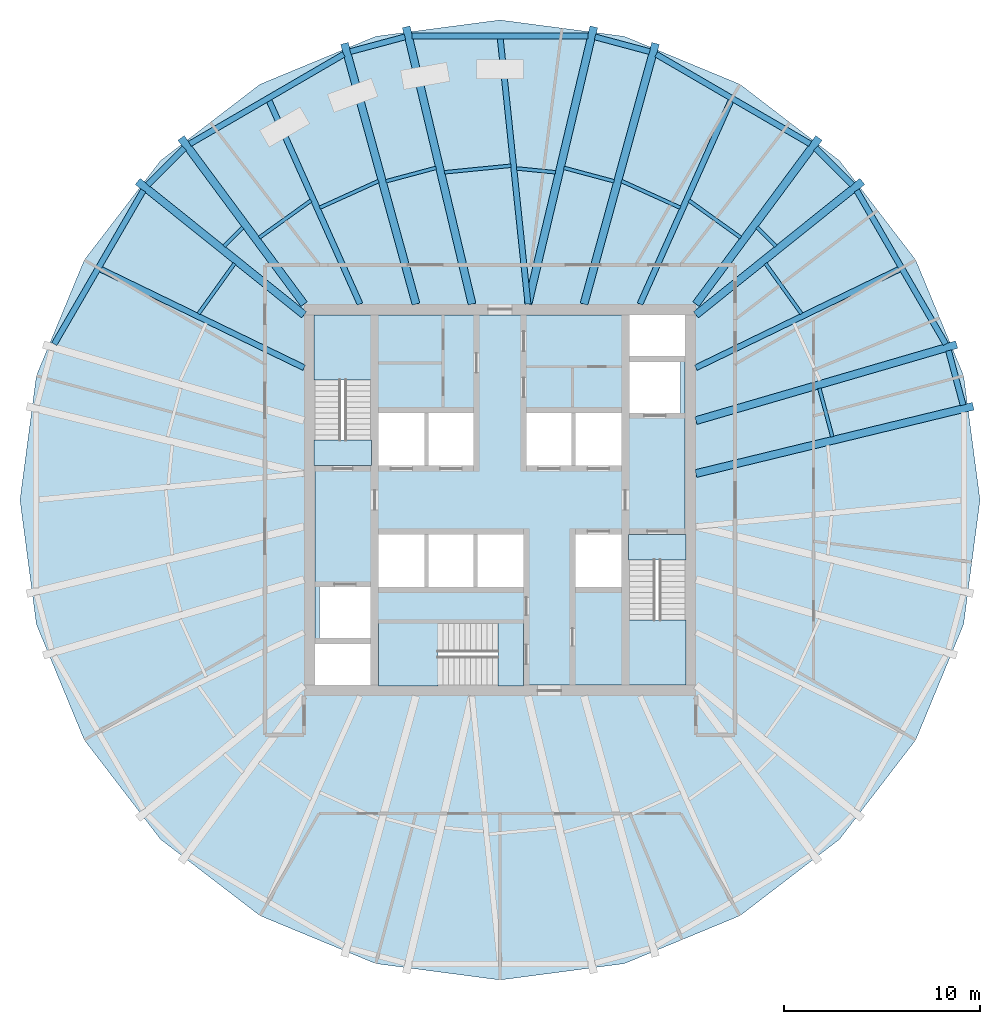
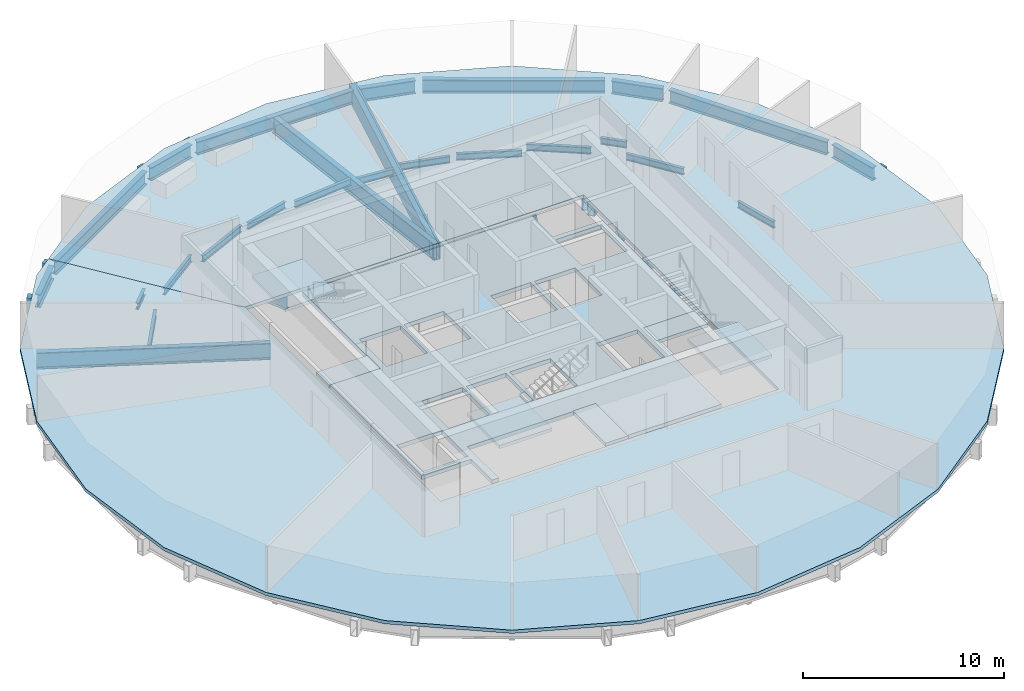
# One storey, part 2 of 7: 38 beams, 9 slabs, 3 elements without a shape of their own.
"""IFC4 building model written with IfcOpenShell, lengths in metres."""

import ifcopenshell
import ifcopenshell.guid

model = None  # the IFC model being written
_history = None  # IfcOwnerHistory: only IFC2X3 demands one
_inside = {}  # id of a spatial element -> (the spatial element, [elements in it])
_under = {}  # id of a project, library or spatial element -> (it, [spatial elements below it])
_declared = {}  # id of a project -> (the project, [libraries it declares])
_typed = {}  # id of a type object -> (the type object, [elements of that type])
_made_of = {}  # id of a material, layer set ... -> (it, [elements and type objects made of it])


def new_model(schema):
    """Start an empty IFC model of exactly this schema.

    Asked for "IFC4X3", IfcOpenShell would pick the latest addendum, in which some entities
    have other attributes; the version numbers below select the first issue.
    IFC2X3 requires an IfcOwnerHistory on every rooted entity: one is made here for all.
    """
    global model, _history
    if schema == "IFC4X3":
        model = ifcopenshell.file(schema_version=(4, 3, 0, 0))
    else:
        model = ifcopenshell.file(schema=schema)
    _inside.clear()
    _under.clear()
    _declared.clear()
    _typed.clear()
    _made_of.clear()
    _history = None
    if model.schema == "IFC2X3":
        org = make("IfcOrganization", Name="unknown")
        user = make(
            "IfcPersonAndOrganization",
            ThePerson=make("IfcPerson", FamilyName="unknown"),
            TheOrganization=org,
        )
        app = make(
            "IfcApplication",
            ApplicationDeveloper=org,
            Version="unknown",
            ApplicationFullName="unknown",
            ApplicationIdentifier="unknown",
        )
        _history = make(
            "IfcOwnerHistory",
            OwningUser=user,
            OwningApplication=app,
            ChangeAction="ADDED",
            CreationDate=0,
        )
    return model


def make(cls, **values):
    """One entity of the class cls with the attributes given. An attribute that is None is left unset."""
    return model.create_entity(
        cls, **{name: value for name, value in values.items() if value is not None}
    )


def rooted(cls, **values):
    """An entity with a GlobalId (a new one), such as an element, a storey or a relation."""
    return make(cls, GlobalId=ifcopenshell.guid.new(), OwnerHistory=_history, **values)


def si_unit(unit_type, name, prefix=None):
    """IfcSIUnit, for example si_unit("LENGTHUNIT", "METRE", prefix="MILLI")."""
    return make("IfcSIUnit", UnitType=unit_type, Prefix=prefix, Name=name)


def assignment(units):
    """IfcUnitAssignment: the units of a project."""
    return None if units is None else make("IfcUnitAssignment", Units=units)


def point(xyz):
    """IfcCartesianPoint."""
    return None if xyz is None else make("IfcCartesianPoint", Coordinates=xyz)


def direction(xyz):
    """IfcDirection."""
    return None if xyz is None else make("IfcDirection", DirectionRatios=xyz)


def frame(location, z_axis=None, x_axis=None):
    """IfcAxis2Placement3D, a coordinate frame: its origin and axes. An axis left out is left unset."""
    return make(
        "IfcAxis2Placement3D",
        Location=point(location),
        Axis=direction(z_axis),
        RefDirection=direction(x_axis),
    )


def frame_2d(location, x_axis=None):
    """IfcAxis2Placement2D, a coordinate frame in the plane: its origin and x axis."""
    return make(
        "IfcAxis2Placement2D", Location=point(location), RefDirection=direction(x_axis)
    )


def origin():
    """The frame at (0, 0, 0) with its axes left unset."""
    return frame((0.0, 0.0, 0.0))


def origin_2d():
    """The frame at (0, 0) in the plane with its x axis left unset."""
    return frame_2d((0.0, 0.0))


def place(relative_to, where):
    """IfcLocalPlacement: puts the frame where relative to a parent placement (None: the world)."""
    return make(
        "IfcLocalPlacement", PlacementRelTo=relative_to, RelativePlacement=where
    )


def context(
    kind, dimensions, precision=None, world=None, true_north=None, identifier=None
):
    """IfcGeometricRepresentationContext, for example the 3D "Model" context."""
    return make(
        "IfcGeometricRepresentationContext",
        ContextIdentifier=identifier,
        ContextType=kind,
        CoordinateSpaceDimension=dimensions,
        Precision=precision,
        WorldCoordinateSystem=world,
        TrueNorth=true_north,
    )


def subcontext(parent, identifier, kind, view, scale=None):
    """IfcGeometricRepresentationSubContext, for example "Body" below "Model"."""
    return make(
        "IfcGeometricRepresentationSubContext",
        ContextIdentifier=identifier,
        ContextType=kind,
        ParentContext=parent,
        TargetScale=scale,
        TargetView=view,
    )


def project(units=None, contexts=None):
    """IfcProject with its units and contexts."""
    return rooted(
        "IfcProject",
        Name="project",
        RepresentationContexts=contexts,
        UnitsInContext=assignment(units),
    )


def spatial(cls, under=None, at=None, **own):
    """A site, building, storey or space (cls), placed at a placement, below another one or the project."""
    s = rooted(cls, ObjectPlacement=at, **own)
    if under is not None:
        _under.setdefault(under.id(), (under, []))[1].append(s)
    return s


def polyline(points):
    """IfcPolyline through the points."""
    return make("IfcPolyline", Points=[point(p) for p in points])


def profile(cls, at=None, kind="AREA", **sizes):
    """A parametric profile (cls). Its sizes go by their IFC names, for example OverallWidth=200.0."""
    return make(cls, ProfileType=kind, Position=at, **sizes)


def hollow_rectangle(**sizes):
    """IfcRectangleHollowProfileDef."""
    return profile("IfcRectangleHollowProfileDef", **sizes)


def i_section(**sizes):
    """IfcIShapeProfileDef."""
    return profile("IfcIShapeProfileDef", **sizes)


def outline(outer, holes=None, kind="AREA"):
    """IfcArbitraryClosedProfileDef: a profile drawn as a closed curve; with holes, ...WithVoids."""
    if holes is None:
        return make("IfcArbitraryClosedProfileDef", ProfileType=kind, OuterCurve=outer)
    return make(
        "IfcArbitraryProfileDefWithVoids",
        ProfileType=kind,
        OuterCurve=outer,
        InnerCurves=holes,
    )


def extrude(swept, where, along, depth):
    """IfcExtrudedAreaSolid: the profile swept, set in the frame where, extruded along a direction by depth."""
    return make(
        "IfcExtrudedAreaSolid",
        SweptArea=swept,
        Position=where,
        ExtrudedDirection=direction(along),
        Depth=depth,
    )


def shape(context_of_items, identifier, shape_type, items):
    """IfcShapeRepresentation: the items that make up one representation, for example the "Body"."""
    return make(
        "IfcShapeRepresentation",
        ContextOfItems=context_of_items,
        RepresentationIdentifier=identifier,
        RepresentationType=shape_type,
        Items=items,
    )


def material(Name=None, Category=None):
    """IfcMaterial."""
    return make("IfcMaterial", Name=Name, Category=Category)


def layer(
    of_material, thickness, ventilated=None, Name=None, Category=None, Priority=None
):
    """IfcMaterialLayer: one layer of a wall or slab, of a material (None: an air gap)."""
    return make(
        "IfcMaterialLayer",
        Material=of_material,
        LayerThickness=thickness,
        IsVentilated=ventilated,
        Name=Name,
        Category=Category,
        Priority=Priority,
    )


def layer_set(layers, Name=None):
    """IfcMaterialLayerSet."""
    return make("IfcMaterialLayerSet", MaterialLayers=layers, LayerSetName=Name)


def material_profile(
    of_material, cross_section, Name=None, Category=None, Priority=None
):
    """IfcMaterialProfile: a cross section and its material."""
    return make(
        "IfcMaterialProfile",
        Name=Name,
        Material=of_material,
        Profile=cross_section,
        Priority=Priority,
        Category=Category,
    )


def profile_set(profiles, Name=None, composite=None):
    """IfcMaterialProfileSet."""
    return make(
        "IfcMaterialProfileSet",
        Name=Name,
        MaterialProfiles=profiles,
        CompositeProfile=composite,
    )


def made_of(thing, what):
    """Note that an element or type object is made of a material, layer set ...; save() writes the relation."""
    if what is not None:
        _made_of.setdefault(what.id(), (what, []))[1].append(thing)
    return thing


def type_object(cls, material=None, **own):
    """A type object (cls), such as IfcWallType, which elements share."""
    return made_of(rooted(cls, **own), material)


def element(
    cls,
    number,
    at=None,
    inside=None,
    cuts=None,
    type_object=None,
    material=None,
    context=None,
    identifier="Body",
    shape_type=None,
    held_by="IfcProductDefinitionShape",
    body=None,
    shapes=None,
    **own,
):
    """One element of the class cls, such as IfcWall. Its Tag is "e" and its number.

    at: its placement. inside: the storey or other place that contains it. cuts: it is an
    opening in that element (IfcRelVoidsElement). A single representation is given by context,
    identifier, shape_type and body (its items); several are given by shapes. held_by: the class
    of the entity that holds the representations. save() writes the other relations.
    """
    e = rooted(cls, Tag="e%d" % number, ObjectPlacement=at, **own)
    if body is not None:
        shapes = [shape(context, identifier, shape_type, body)]
    if shapes is not None:
        e.Representation = make(held_by, Representations=shapes)
    if inside is not None:
        _inside.setdefault(inside.id(), (inside, []))[1].append(e)
    if cuts is not None:
        rooted(
            "IfcRelVoidsElement", RelatingBuildingElement=cuts, RelatedOpeningElement=e
        )
    if type_object is not None:
        _typed.setdefault(type_object.id(), (type_object, []))[1].append(e)
    return made_of(e, material)


def aggregate(whole, parts):
    """IfcRelAggregates: a whole, such as a stair, and the parts it consists of."""
    return rooted("IfcRelAggregates", RelatingObject=whole, RelatedObjects=parts)


def save(model, path):
    """Write the relations noted so far, then the file.

    IfcRelAggregates (storeys below a building ...), IfcRelContainedInSpatialStructure (elements
    in a storey), IfcRelDefinesByType, IfcRelAssociatesMaterial and IfcRelDeclares: one each for
    every whole, place, type object, material and project.
    """
    for whole, parts in _under.values():
        aggregate(whole, parts)
    for where, things in _inside.values():
        rooted(
            "IfcRelContainedInSpatialStructure",
            RelatedElements=things,
            RelatingStructure=where,
        )
    for kind, things in _typed.values():
        rooted("IfcRelDefinesByType", RelatedObjects=things, RelatingType=kind)
    for what, things in _made_of.values():
        rooted("IfcRelAssociatesMaterial", RelatedObjects=things, RelatingMaterial=what)
    for by, libraries in _declared.values():
        rooted("IfcRelDeclares", RelatingContext=by, RelatedDefinitions=libraries)
    model.write(path)


model = new_model("IFC4")

# Units and contexts
model_context = context("Model", 3, precision=1e-05, world=origin(), true_north=direction((0.0, 1.0)))
body_context = subcontext(model_context, "Body", "Model", "MODEL_VIEW")
ifc_project = project(units=[si_unit("LENGTHUNIT", "METRE"), si_unit("AREAUNIT", "SQUARE_METRE"), si_unit("VOLUMEUNIT", "CUBIC_METRE"), si_unit("PLANEANGLEUNIT", "RADIAN"), si_unit("MASSUNIT", "GRAM", prefix="KILO")], contexts=[model_context])

# Site, building, storey
site_placement = place(None, origin())
site = spatial("IfcSite", under=ifc_project, at=site_placement, CompositionType="ELEMENT")
building_placement = place(site_placement, origin())
building = spatial("IfcBuilding", under=site, at=building_placement, Name="Golbaran Civic Tower", CompositionType="ELEMENT")
storey_placement = place(building_placement, frame((0.0, 0.0, 106.0)))
storey = spatial("IfcBuildingStorey", under=building, at=storey_placement, Name="L25", CompositionType="ELEMENT", Elevation=106.0)

# Beams
ifc_material_1 = material(Name="Steel S355", Category="steel")
ifc_material_profile_1 = material_profile(ifc_material_1, i_section(OverallWidth=0.300048828125, OverallDepth=0.800048828125, WebThickness=0.017578125, FlangeThickness=0.032958984375, FilletRadius=0.030029296875, at=origin_2d()), Name="HEB 800")
ifc_profile_set_1 = profile_set([ifc_material_profile_1], Name="Steel S355")
beam_type_1 = type_object("IfcBeamType", Name="EDGE BEAM HEB 800", PredefinedType="BEAM", material=ifc_profile_set_1)
beam_1_placement = place(storey_placement, frame((23.634765625, 4.844970703125, -0.60009765625), z_axis=(-0.258798311306, 0.965931381655, 0.0), x_axis=(-0.965931381655, -0.258798311306, 0.0)))
element("IfcBeam", 1, at=beam_1_placement, inside=storey, type_object=beam_type_1, Name="Edge beam 11.26 L25", PredefinedType="BEAM", context=body_context, shape_type="SweptSolid", body=[
    extrude(i_section(OverallWidth=0.300048828125, OverallDepth=0.800048828125, WebThickness=0.017578125, FlangeThickness=0.032958984375, FilletRadius=0.030029296875, at=origin_2d()), origin(), (0.0, 0.0, 1.0), 2.876220703125),
])
beam_2_placement = place(storey_placement, frame((22.750732421875, 7.95751953125, -0.60009765625), z_axis=(-0.501692291234, 0.865046151899, 0.0), x_axis=(-0.865046151899, -0.501692291234, 0.0)))
element("IfcBeam", 2, at=beam_2_placement, inside=storey, type_object=beam_type_1, Name="Edge beam 18.74 L25", PredefinedType="BEAM", context=body_context, shape_type="SweptSolid", body=[
    extrude(i_section(OverallWidth=0.300048828125, OverallDepth=0.800048828125, WebThickness=0.017578125, FlangeThickness=0.032958984375, FilletRadius=0.030029296875, at=origin_2d()), origin(), (0.0, 0.0, 1.0), 9.06396484375),
])
beam_3_placement = place(storey_placement, frame((17.98388671875, 16.083984375, -0.60009765625), z_axis=(-0.706506383865, 0.707706669149, 0.0), x_axis=(-0.707706669149, -0.706506383865, 0.0)))
element("IfcBeam", 3, at=beam_3_placement, inside=storey, type_object=beam_type_1, Name="Edge beam 41.26 L25", PredefinedType="BEAM", context=body_context, shape_type="SweptSolid", body=[
    extrude(i_section(OverallWidth=0.300048828125, OverallDepth=0.800048828125, WebThickness=0.017578125, FlangeThickness=0.032958984375, FilletRadius=0.030029296875, at=origin_2d()), origin(), (0.0, 0.0, 1.0), 2.644287109375),
])
beam_4_placement = place(storey_placement, frame((15.830810546875, 18.17529296875, -0.60009765625), z_axis=(-0.864428999751, 0.502754914834, 0.0), x_axis=(-0.502754914834, -0.864428999751, 0.0)))
element("IfcBeam", 4, at=beam_4_placement, inside=storey, type_object=beam_type_1, Name="Edge beam 48.74 L25", PredefinedType="BEAM", context=body_context, shape_type="SweptSolid", body=[
    extrude(i_section(OverallWidth=0.300048828125, OverallDepth=0.800048828125, WebThickness=0.017578125, FlangeThickness=0.032958984375, FilletRadius=0.030029296875, at=origin_2d()), origin(), (0.0, 0.0, 1.0), 9.088623046875),
])
beam_5_placement = place(storey_placement, frame((7.639404296875, 22.884765625, -0.60009765625), z_axis=(-0.96577881676, 0.259367070187, 0.0), x_axis=(-0.259367070187, -0.96577881676, 0.0)))
element("IfcBeam", 5, at=beam_5_placement, inside=storey, type_object=beam_type_1, Name="Edge beam 71.26 L25", PredefinedType="BEAM", context=body_context, shape_type="SweptSolid", body=[
    extrude(i_section(OverallWidth=0.300048828125, OverallDepth=0.800048828125, WebThickness=0.017578125, FlangeThickness=0.032958984375, FilletRadius=0.030029296875, at=origin_2d()), origin(), (0.0, 0.0, 1.0), 2.887939453125),
])
beam_6_placement = place(storey_placement, frame((4.491455078125, 23.680419921875, -0.60009765625), z_axis=(-1.0, 0.0, 0.0), x_axis=(0.0, -1.0, 0.0)))
element("IfcBeam", 6, at=beam_6_placement, inside=storey, type_object=beam_type_1, Name="Edge beam 78.74 L25", PredefinedType="BEAM", context=body_context, shape_type="SweptSolid", body=[
    extrude(i_section(OverallWidth=0.300048828125, OverallDepth=0.800048828125, WebThickness=0.017578125, FlangeThickness=0.032958984375, FilletRadius=0.030029296875, at=origin_2d()), origin(), (0.0, 0.0, 1.0), 8.98291015625),
])
beam_7_placement = place(storey_placement, frame((-4.850341796875, 23.6337890625, -0.60009765625), z_axis=(-0.96577881676, -0.259367070187, 0.0), x_axis=(0.259367070187, -0.96577881676, 0.0)))
element("IfcBeam", 7, at=beam_7_placement, inside=storey, type_object=beam_type_1, Name="Edge beam 101.26 L25", PredefinedType="BEAM", context=body_context, shape_type="SweptSolid", body=[
    extrude(i_section(OverallWidth=0.300048828125, OverallDepth=0.800048828125, WebThickness=0.017578125, FlangeThickness=0.032958984375, FilletRadius=0.030029296875, at=origin_2d()), origin(), (0.0, 0.0, 1.0), 2.887939453125),
])
beam_8_placement = place(storey_placement, frame((-7.974365234375, 22.74462890625, -0.60009765625), z_axis=(-0.864428999751, -0.502754914834, 0.0), x_axis=(0.502754914834, -0.864428999751, 0.0)))
element("IfcBeam", 8, at=beam_8_placement, inside=storey, type_object=beam_type_1, Name="Edge beam 108.74 L25", PredefinedType="BEAM", context=body_context, shape_type="SweptSolid", body=[
    extrude(i_section(OverallWidth=0.300048828125, OverallDepth=0.800048828125, WebThickness=0.017578125, FlangeThickness=0.032958984375, FilletRadius=0.030029296875, at=origin_2d()), origin(), (0.0, 0.0, 1.0), 9.088623046875),
])
beam_9_placement = place(storey_placement, frame((-16.11572265625, 17.955322265625, -0.60009765625), z_axis=(-0.706506383865, -0.707706669149, 0.0), x_axis=(0.707706669149, -0.706506383865, 0.0)))
element("IfcBeam", 9, at=beam_9_placement, inside=storey, type_object=beam_type_1, Name="Edge beam 131.26 L25", PredefinedType="BEAM", context=body_context, shape_type="SweptSolid", body=[
    extrude(i_section(OverallWidth=0.300048828125, OverallDepth=0.800048828125, WebThickness=0.017578125, FlangeThickness=0.032958984375, FilletRadius=0.030029296875, at=origin_2d()), origin(), (0.0, 0.0, 1.0), 2.644287109375),
])
beam_10_placement = place(storey_placement, frame((-18.203369140625, 15.79833984375, -0.60009765625), z_axis=(-0.501692291234, -0.865046151899, 0.0), x_axis=(0.865046151899, -0.501692291234, 0.0)))
element("IfcBeam", 10, at=beam_10_placement, inside=storey, type_object=beam_type_1, Name="Edge beam 138.74 L25", PredefinedType="BEAM", context=body_context, shape_type="SweptSolid", body=[
    extrude(i_section(OverallWidth=0.300048828125, OverallDepth=0.800048828125, WebThickness=0.017578125, FlangeThickness=0.032958984375, FilletRadius=0.030029296875, at=origin_2d()), origin(), (0.0, 0.0, 1.0), 9.06396484375),
])
ifc_material_profile_2 = material_profile(ifc_material_1, i_section(OverallWidth=0.179931640625, OverallDepth=0.39990234375, WebThickness=0.008544921875, FlangeThickness=0.013427734375, FilletRadius=0.02099609375, at=origin_2d()), Name="IPE 400")
ifc_profile_set_2 = profile_set([ifc_material_profile_2], Name="Steel S355")
beam_type_2 = type_object("IfcBeamType", Name="FLOOR INFILL BEAM IPE 400", PredefinedType="BEAM", material=ifc_profile_set_2)
beam_11_placement = place(storey_placement, frame((16.96142578125, 3.22509765625, -0.39990234375), z_axis=(-0.258890080624, 0.965906789579, 0.0), x_axis=(-0.965906789579, -0.258890080624, 0.0)))
element("IfcBeam", 11, at=beam_11_placement, inside=storey, type_object=beam_type_2, Name="Infill beam 15.00 L25", PredefinedType="BEAM", context=body_context, shape_type="SweptSolid", body=[
    extrude(i_section(OverallWidth=0.179931640625, OverallDepth=0.39990234375, WebThickness=0.008544921875, FlangeThickness=0.013427734375, FilletRadius=0.02099609375, at=origin_2d()), origin(), (0.0, 0.0, 1.0), 2.562255859375),
])
beam_12_placement = place(storey_placement, frame((15.387451171875, 9.50390625, -0.39990234375), z_axis=(-0.582628915075, 0.812738301865, 0.0), x_axis=(-0.812738301865, -0.582628915075, 0.0)))
element("IfcBeam", 12, at=beam_12_placement, inside=storey, type_object=beam_type_2, Name="Infill beam 35.63 L25", PredefinedType="BEAM", context=body_context, shape_type="SweptSolid", body=[
    extrude(i_section(OverallWidth=0.179931640625, OverallDepth=0.39990234375, WebThickness=0.008544921875, FlangeThickness=0.013427734375, FilletRadius=0.02099609375, at=origin_2d()), origin(), (0.0, 0.0, 1.0), 3.1533203125),
])
beam_13_placement = place(storey_placement, frame((14.0810546875, 12.953857421875, -0.39990234375), z_axis=(-0.707196772503, 0.707016778415, 0.0), x_axis=(-0.707016778415, -0.707196772503, 0.0)))
element("IfcBeam", 13, at=beam_13_placement, inside=storey, type_object=beam_type_2, Name="Infill beam 45.00 L25", PredefinedType="BEAM", context=body_context, shape_type="SweptSolid", body=[
    extrude(i_section(OverallWidth=0.179931640625, OverallDepth=0.39990234375, WebThickness=0.008544921875, FlangeThickness=0.013427734375, FilletRadius=0.02099609375, at=origin_2d()), origin(), (0.0, 0.0, 1.0), 1.3564453125),
])
beam_14_placement = place(storey_placement, frame((12.286376953125, 13.3896484375, -0.39990234375), z_axis=(-0.812772646158, 0.582581003515, 0.0), x_axis=(-0.582581003515, -0.812772646158, 0.0)))
element("IfcBeam", 14, at=beam_14_placement, inside=storey, type_object=beam_type_2, Name="Infill beam 54.37 L25", PredefinedType="BEAM", context=body_context, shape_type="SweptSolid", body=[
    extrude(i_section(OverallWidth=0.179931640625, OverallDepth=0.39990234375, WebThickness=0.008544921875, FlangeThickness=0.013427734375, FilletRadius=0.02099609375, at=origin_2d()), origin(), (0.0, 0.0, 1.0), 3.24853515625),
])
beam_15_placement = place(storey_placement, frame((9.198974609375, 14.9189453125, -0.39990234375), z_axis=(-0.910928962002, 0.412563239013, 0.0), x_axis=(-0.412563239013, -0.910928962002, 0.0)))
element("IfcBeam", 15, at=beam_15_placement, inside=storey, type_object=beam_type_2, Name="Infill beam 65.63 L25", PredefinedType="BEAM", context=body_context, shape_type="SweptSolid", body=[
    extrude(i_section(OverallWidth=0.179931640625, OverallDepth=0.39990234375, WebThickness=0.008544921875, FlangeThickness=0.013427734375, FilletRadius=0.02099609375, at=origin_2d()), origin(), (0.0, 0.0, 1.0), 3.294921875),
])
beam_16_placement = place(storey_placement, frame((5.82080078125, 16.265625, -0.39990234375), z_axis=(-0.965937349477, 0.25877603615, 0.0), x_axis=(-0.25877603615, -0.965937349477, 0.0)))
element("IfcBeam", 16, at=beam_16_placement, inside=storey, type_object=beam_type_2, Name="Infill beam 75.00 L25", PredefinedType="BEAM", context=body_context, shape_type="SweptSolid", body=[
    extrude(i_section(OverallWidth=0.179931640625, OverallDepth=0.39990234375, WebThickness=0.008544921875, FlangeThickness=0.013427734375, FilletRadius=0.02099609375, at=origin_2d()), origin(), (0.0, 0.0, 1.0), 2.647216796875),
])
beam_17_placement = place(storey_placement, frame((2.83984375, 16.723876953125, -0.39990234375), z_axis=(-0.995175500492, 0.098110770156, 0.0), x_axis=(-0.098110770156, -0.995175500492, 0.0)))
element("IfcBeam", 17, at=beam_17_placement, inside=storey, type_object=beam_type_2, Name="Infill beam 84.37 L25", PredefinedType="BEAM", context=body_context, shape_type="SweptSolid", body=[
    extrude(i_section(OverallWidth=0.179931640625, OverallDepth=0.39990234375, WebThickness=0.008544921875, FlangeThickness=0.013427734375, FilletRadius=0.02099609375, at=origin_2d()), origin(), (0.0, 0.0, 1.0), 2.01318359375),
])
beam_18_placement = place(storey_placement, frame((0.560791015625, 17.059326171875, -0.39990234375), z_axis=(-0.995169987823, -0.098166671209, 0.0), x_axis=(0.098166671209, -0.995169987823, 0.0)))
element("IfcBeam", 18, at=beam_18_placement, inside=storey, type_object=beam_type_2, Name="Infill beam 95.63 L25", PredefinedType="BEAM", context=body_context, shape_type="SweptSolid", body=[
    extrude(i_section(OverallWidth=0.179931640625, OverallDepth=0.39990234375, WebThickness=0.008544921875, FlangeThickness=0.013427734375, FilletRadius=0.02099609375, at=origin_2d()), origin(), (0.0, 0.0, 1.0), 3.417236328125),
])
beam_19_placement = place(storey_placement, frame((-3.263671875, 16.95068359375, -0.39990234375), z_axis=(-0.965937349477, -0.25877603615, 0.0), x_axis=(0.25877603615, -0.965937349477, 0.0)))
element("IfcBeam", 19, at=beam_19_placement, inside=storey, type_object=beam_type_2, Name="Infill beam 105.00 L25", PredefinedType="BEAM", context=body_context, shape_type="SweptSolid", body=[
    extrude(i_section(OverallWidth=0.179931640625, OverallDepth=0.39990234375, WebThickness=0.008544921875, FlangeThickness=0.013427734375, FilletRadius=0.02099609375, at=origin_2d()), origin(), (0.0, 0.0, 1.0), 2.647216796875),
])
beam_20_placement = place(storey_placement, frame((-6.197509765625, 16.2783203125, -0.39990234375), z_axis=(-0.910928962002, -0.412563239013, 0.0), x_axis=(0.412563239013, -0.910928962002, 0.0)))
element("IfcBeam", 20, at=beam_20_placement, inside=storey, type_object=beam_type_2, Name="Infill beam 114.37 L25", PredefinedType="BEAM", context=body_context, shape_type="SweptSolid", body=[
    extrude(i_section(OverallWidth=0.179931640625, OverallDepth=0.39990234375, WebThickness=0.008544921875, FlangeThickness=0.013427734375, FilletRadius=0.02099609375, at=origin_2d()), origin(), (0.0, 0.0, 1.0), 3.294921875),
])
beam_21_placement = place(storey_placement, frame((-9.64599609375, 15.2822265625, -0.39990234375), z_axis=(-0.812772646158, -0.582581003515, 0.0), x_axis=(0.582581003515, -0.812772646158, 0.0)))
element("IfcBeam", 21, at=beam_21_placement, inside=storey, type_object=beam_type_2, Name="Infill beam 125.63 L25", PredefinedType="BEAM", context=body_context, shape_type="SweptSolid", body=[
    extrude(i_section(OverallWidth=0.179931640625, OverallDepth=0.39990234375, WebThickness=0.008544921875, FlangeThickness=0.013427734375, FilletRadius=0.02099609375, at=origin_2d()), origin(), (0.0, 0.0, 1.0), 3.24853515625),
])
beam_22_placement = place(storey_placement, frame((-13.121826171875, 13.912841796875, -0.39990234375), z_axis=(-0.707196772503, -0.707016778415, 0.0), x_axis=(0.707016778415, -0.707196772503, 0.0)))
element("IfcBeam", 22, at=beam_22_placement, inside=storey, type_object=beam_type_2, Name="Infill beam 135.00 L25", PredefinedType="BEAM", context=body_context, shape_type="SweptSolid", body=[
    extrude(i_section(OverallWidth=0.179931640625, OverallDepth=0.39990234375, WebThickness=0.008544921875, FlangeThickness=0.013427734375, FilletRadius=0.02099609375, at=origin_2d()), origin(), (0.0, 0.0, 1.0), 1.3564453125),
])
beam_23_placement = place(storey_placement, frame((-13.55029296875, 12.066650390625, -0.39990234375), z_axis=(-0.582628915075, -0.812738301865, 0.0), x_axis=(0.812738301865, -0.582628915075, 0.0)))
element("IfcBeam", 23, at=beam_23_placement, inside=storey, type_object=beam_type_2, Name="Infill beam 144.37 L25", PredefinedType="BEAM", context=body_context, shape_type="SweptSolid", body=[
    extrude(i_section(OverallWidth=0.179931640625, OverallDepth=0.39990234375, WebThickness=0.008544921875, FlangeThickness=0.013427734375, FilletRadius=0.02099609375, at=origin_2d()), origin(), (0.0, 0.0, 1.0), 3.1533203125),
])
ifc_material_profile_3 = material_profile(ifc_material_1, hollow_rectangle(XDim=0.39990234375, YDim=1.0, WallThickness=0.0400390625, at=origin_2d()), Name="BOX 1000x400x40")
ifc_profile_set_3 = profile_set([ifc_material_profile_3], Name="Steel S355")
beam_type_3 = type_object("IfcBeamType", Name="RADIAL FLOOR BEAM BOX 1000x400x40", PredefinedType="BEAM", material=ifc_profile_set_3)
beam_24_placement = place(storey_placement, frame((10.0, 1.35009765625, -0.7099609375), z_axis=(0.971783635341, 0.235874047077, 0.0), x_axis=(-0.235874047077, 0.971783635341, 0.0)))
element("IfcBeam", 24, at=beam_24_placement, inside=storey, type_object=beam_type_3, Name="Radial beam 11.26 L25", PredefinedType="BEAM", context=body_context, shape_type="SweptSolid", body=[
    extrude(hollow_rectangle(XDim=0.39990234375, YDim=1.0, WallThickness=0.0400390625, at=origin_2d()), origin(), (0.0, 0.0, 1.0), 14.56005859375),
])
beam_25_placement = place(storey_placement, frame((10.0, 4.050048828125, -0.7099609375), z_axis=(0.959980269582, 0.280067638282, 0.0), x_axis=(-0.280067638282, 0.959980269582, 0.0)))
element("IfcBeam", 25, at=beam_25_placement, inside=storey, type_object=beam_type_3, Name="Radial beam 18.74 L25", PredefinedType="BEAM", context=body_context, shape_type="SweptSolid", body=[
    extrude(hollow_rectangle(XDim=0.39990234375, YDim=1.0, WallThickness=0.0400390625, at=origin_2d()), origin(), (0.0, 0.0, 1.0), 13.8603515625),
])
beam_26_placement = place(storey_placement, frame((10.0, 9.449951171875, -0.7099609375), z_axis=(0.780102222778, 0.625652077449, 0.0), x_axis=(-0.625652077449, 0.780102222778, 0.0)))
element("IfcBeam", 26, at=beam_26_placement, inside=storey, type_object=beam_type_3, Name="Radial beam 41.26 L25", PredefinedType="BEAM", context=body_context, shape_type="SweptSolid", body=[
    extrude(hollow_rectangle(XDim=0.39990234375, YDim=1.0, WallThickness=0.0400390625, at=origin_2d()), origin(), (0.0, 0.0, 1.0), 10.883056640625),
])
beam_27_placement = place(storey_placement, frame((10.0, 10.0, -0.7099609375), z_axis=(0.595163334962, 0.803604756529, 0.0), x_axis=(-0.803604756529, 0.595163334962, 0.0)))
element("IfcBeam", 27, at=beam_27_placement, inside=storey, type_object=beam_type_3, Name="Radial beam 48.74 L25", PredefinedType="BEAM", context=body_context, shape_type="SweptSolid", body=[
    extrude(hollow_rectangle(XDim=0.39990234375, YDim=1.0, WallThickness=0.0400390625, at=origin_2d()), origin(), (0.0, 0.0, 1.0), 10.54736328125),
])
beam_28_placement = place(storey_placement, frame((4.28564453125, 10.0, -0.7099609375), z_axis=(0.26495286569, 0.964261364446, 0.0), x_axis=(-0.964261364446, 0.26495286569, 0.0)))
element("IfcBeam", 28, at=beam_28_placement, inside=storey, type_object=beam_type_3, Name="Radial beam 71.26 L25", PredefinedType="BEAM", context=body_context, shape_type="SweptSolid", body=[
    extrude(hollow_rectangle(XDim=0.39990234375, YDim=1.0, WallThickness=0.0400390625, at=origin_2d()), origin(), (0.0, 0.0, 1.0), 13.794921875),
])
for number, where, z_axis, x_axis, name in (
    (29, (1.428466796875, 10.0, -0.7099609375), (0.230995551245, 0.972954806404, 0.0), (-0.972954806404, 0.230995551245, 0.0), "Radial beam 78.74 L25"),
    (30, (-1.428466796875, 10.0, -0.7099609375), (-0.230995551245, 0.972954806404, 0.0), (-0.972954806404, -0.230995551245, 0.0), "Radial beam 101.26 L25"),
):
    element("IfcBeam", number, at=place(storey_placement, frame(where, z_axis=z_axis, x_axis=x_axis)), inside=storey, type_object=beam_type_3, Name=name, PredefinedType="BEAM", context=body_context, shape_type="SweptSolid", body=[
        extrude(hollow_rectangle(XDim=0.39990234375, YDim=1.0, WallThickness=0.0400390625, at=origin_2d()), origin(), (0.0, 0.0, 1.0), 14.5419921875),
    ])
beam_29_placement = place(storey_placement, frame((-4.28564453125, 10.0, -0.7099609375), z_axis=(-0.26495286569, 0.964261364446, 0.0), x_axis=(-0.964261364446, -0.26495286569, 0.0)))
element("IfcBeam", 31, at=beam_29_placement, inside=storey, type_object=beam_type_3, Name="Radial beam 108.74 L25", PredefinedType="BEAM", context=body_context, shape_type="SweptSolid", body=[
    extrude(hollow_rectangle(XDim=0.39990234375, YDim=1.0, WallThickness=0.0400390625, at=origin_2d()), origin(), (0.0, 0.0, 1.0), 13.794921875),
])
beam_30_placement = place(storey_placement, frame((-10.0, 10.0, -0.7099609375), z_axis=(-0.595163334962, 0.803604756529, 0.0), x_axis=(-0.803604756529, -0.595163334962, 0.0)))
element("IfcBeam", 32, at=beam_30_placement, inside=storey, type_object=beam_type_3, Name="Radial beam 131.26 L25", PredefinedType="BEAM", context=body_context, shape_type="SweptSolid", body=[
    extrude(hollow_rectangle(XDim=0.39990234375, YDim=1.0, WallThickness=0.0400390625, at=origin_2d()), origin(), (0.0, 0.0, 1.0), 10.54736328125),
])
beam_31_placement = place(storey_placement, frame((-10.0, 9.449951171875, -0.7099609375), z_axis=(-0.780102222778, 0.625652077449, 0.0), x_axis=(-0.625652077449, -0.780102222778, 0.0)))
element("IfcBeam", 33, at=beam_31_placement, inside=storey, type_object=beam_type_3, Name="Radial beam 138.74 L25", PredefinedType="BEAM", context=body_context, shape_type="SweptSolid", body=[
    extrude(hollow_rectangle(XDim=0.39990234375, YDim=1.0, WallThickness=0.0400390625, at=origin_2d()), origin(), (0.0, 0.0, 1.0), 10.883056640625),
])
ifc_material_profile_4 = material_profile(ifc_material_1, i_section(OverallWidth=0.300048828125, OverallDepth=1.0, WebThickness=0.01904296875, FlangeThickness=0.035888671875, FilletRadius=0.030029296875, at=origin_2d()), Name="HEB 1000")
ifc_profile_set_4 = profile_set([ifc_material_profile_4], Name="Steel S355")
beam_type_4 = type_object("IfcBeamType", Name="SECONDARY FLOOR BEAM HEB 1000", PredefinedType="BEAM", material=ifc_profile_set_4)
beam_32_placement = place(storey_placement, frame((10.0, 6.75, -0.7099609375), z_axis=(0.899984786918, 0.43592130404, 0.0), x_axis=(-0.43592130404, 0.899984786918, 0.0)))
element("IfcBeam", 34, at=beam_32_placement, inside=storey, type_object=beam_type_4, Name="Secondary beam 30.00 L25", PredefinedType="BEAM", context=body_context, shape_type="SweptSolid", body=[
    extrude(i_section(OverallWidth=0.300048828125, OverallDepth=1.0, WebThickness=0.01904296875, FlangeThickness=0.035888671875, FilletRadius=0.030029296875, at=origin_2d()), origin(), (0.0, 0.0, 1.0), 11.668212890625),
])
beam_33_placement = place(storey_placement, frame((7.142822265625, 10.0, -0.7099609375), z_axis=(0.408036451148, 0.912965637105, 0.0), x_axis=(-0.912965637105, 0.408036451148, 0.0)))
element("IfcBeam", 35, at=beam_33_placement, inside=storey, type_object=beam_type_4, Name="Secondary beam 60.00 L25", PredefinedType="BEAM", context=body_context, shape_type="SweptSolid", body=[
    extrude(i_section(OverallWidth=0.300048828125, OverallDepth=1.0, WebThickness=0.01904296875, FlangeThickness=0.035888671875, FilletRadius=0.030029296875, at=origin_2d()), origin(), (0.0, 0.0, 1.0), 11.5),
])
beam_34_placement = place(storey_placement, frame((1.428466796875, 10.0, -0.7099609375), z_axis=(-0.103852272395, 0.994592733494, 0.0), x_axis=(-0.994592733494, -0.103852272395, 0.0)))
element("IfcBeam", 36, at=beam_34_placement, inside=storey, type_object=beam_type_4, Name="Secondary beam 90.00 L25", PredefinedType="BEAM", context=body_context, shape_type="SweptSolid", body=[
    extrude(i_section(OverallWidth=0.300048828125, OverallDepth=1.0, WebThickness=0.01904296875, FlangeThickness=0.035888671875, FilletRadius=0.030029296875, at=origin_2d()), origin(), (0.0, 0.0, 1.0), 13.7548828125),
])
beam_35_placement = place(storey_placement, frame((-7.142822265625, 10.0, -0.7099609375), z_axis=(-0.408036451148, 0.912965637105, 0.0), x_axis=(-0.912965637105, -0.408036451148, 0.0)))
element("IfcBeam", 37, at=beam_35_placement, inside=storey, type_object=beam_type_4, Name="Secondary beam 120.00 L25", PredefinedType="BEAM", context=body_context, shape_type="SweptSolid", body=[
    extrude(i_section(OverallWidth=0.300048828125, OverallDepth=1.0, WebThickness=0.01904296875, FlangeThickness=0.035888671875, FilletRadius=0.030029296875, at=origin_2d()), origin(), (0.0, 0.0, 1.0), 11.5),
])
beam_36_placement = place(storey_placement, frame((-10.0, 6.75, -0.7099609375), z_axis=(-0.899984786918, 0.43592130404, 0.0), x_axis=(-0.43592130404, -0.899984786918, 0.0)))
element("IfcBeam", 38, at=beam_36_placement, inside=storey, type_object=beam_type_4, Name="Secondary beam 150.00 L25", PredefinedType="BEAM", context=body_context, shape_type="SweptSolid", body=[
    extrude(i_section(OverallWidth=0.300048828125, OverallDepth=1.0, WebThickness=0.01904296875, FlangeThickness=0.035888671875, FilletRadius=0.030029296875, at=origin_2d()), origin(), (0.0, 0.0, 1.0), 11.668212890625),
])

# Slabs
ifc_material_2 = material(Name="Concrete LC30/33 lightweight on steel deck", Category="concrete")
ifc_layer_1 = layer(ifc_material_2, 0.199951171875, Name="Concrete LC30/33 lightweight on steel deck")
ifc_layer_set_1 = layer_set([ifc_layer_1], Name="Concrete LC30/33 lightweight on steel deck")
slab_type_1 = type_object("IfcSlabType", Name="COMPOSITE FLOOR SLAB 200", PredefinedType="FLOOR", material=ifc_layer_set_1)
slab_1_placement = place(storey_placement, frame((0.0, 0.0, -0.199951171875)))
element("IfcSlab", 39, at=slab_1_placement, inside=storey, type_object=slab_type_1, Name="Sky garden deck L25", PredefinedType="FLOOR", context=body_context, shape_type="SweptSolid", body=[
    extrude(outline(polyline([(-6.34033203125, 23.66259765625), (0.0, 24.497314453125), (4.72265625, 23.87548828125), (1.428466796875, 10.0), (1.389404296875, 9.72509765625), (-9.72509765625, 9.72509765625), (-10.0, 10.0), (-16.111083984375, 18.25146484375), (-12.24853515625, 21.21533203125), (-6.34033203125, 23.66259765625)])), origin(), (0.0, 0.0, 1.0), 0.199951171875),
])
slab_2_placement = place(storey_placement, frame((0.0, 0.0, -0.199951171875)))
element("IfcSlab", 40, at=slab_2_placement, inside=storey, type_object=slab_type_1, Name="Floor slab L25", PredefinedType="FLOOR", context=body_context, shape_type="SweptSolid", body=[
    extrude(outline(polyline([(17.322265625, -17.322265625), (12.24853515625, -21.21533203125), (6.34033203125, -23.66259765625), (0.0, -24.497314453125), (-6.34033203125, -23.66259765625), (-12.24853515625, -21.21533203125), (-17.322265625, -17.322265625), (-21.21533203125, -12.24853515625), (-23.66259765625, -6.34033203125), (-24.497314453125, 0.0), (-23.66259765625, 6.34033203125), (-21.21533203125, 12.24853515625), (-17.322265625, 17.322265625), (-16.111083984375, 18.25146484375), (-10.0, 10.0), (-9.72509765625, 9.72509765625), (-9.72509765625, -9.72509765625), (9.72509765625, -9.72509765625), (9.72509765625, 9.72509765625), (1.389404296875, 9.72509765625), (1.428466796875, 10.0), (4.72265625, 23.87548828125), (6.34033203125, 23.66259765625), (12.24853515625, 21.21533203125), (17.322265625, 17.322265625), (21.21533203125, 12.24853515625), (23.66259765625, 6.34033203125), (24.497314453125, 0.0), (23.66259765625, -6.34033203125), (21.21533203125, -12.24853515625), (17.322265625, -17.322265625)])), origin(), (0.0, 0.0, 1.0), 0.199951171875),
])
ifc_material_3 = material(Name="Concrete C35/45", Category="concrete")
ifc_layer_2 = layer(ifc_material_3, 0.25, Name="Concrete C35/45")
ifc_layer_set_2 = layer_set([ifc_layer_2], Name="Concrete C35/45")
slab_type_2 = type_object("IfcSlabType", Name="CORE FLOOR SLAB 250", PredefinedType="FLOOR", material=ifc_layer_set_2)
slab_3_placement = place(storey_placement, frame((0.0, 0.0, -0.25)))
element("IfcSlab", 41, at=slab_3_placement, inside=storey, type_object=slab_type_2, Name="Core floor slab L25", PredefinedType="FLOOR", context=body_context, shape_type="SweptSolid", body=[
    extrude(outline(polyline([(6.60009765625, -1.75), (6.60009765625, -9.449951171875), (1.199951171875, -9.449951171875), (1.199951171875, -6.300048828125), (-6.199951171875, -6.300048828125), (-6.199951171875, -9.449951171875), (-6.60009765625, -9.449951171875), (-6.60009765625, -7.35009765625), (-9.449951171875, -7.35009765625), (-9.449951171875, 1.75), (-6.60009765625, 1.75), (-6.60009765625, 9.449951171875), (6.60009765625, 9.449951171875), (6.60009765625, 7.35009765625), (9.449951171875, 7.35009765625), (9.449951171875, -1.75), (6.60009765625, -1.75)]), holes=[polyline([(9.199951171875, 7.050048828125), (6.60009765625, 7.050048828125), (6.60009765625, 4.449951171875), (9.199951171875, 4.449951171875), (9.199951171875, 7.050048828125)]), polyline([(6.199951171875, -1.75), (3.85009765625, -1.75), (3.85009765625, -4.449951171875), (6.199951171875, -4.449951171875), (6.199951171875, -1.75)]), polyline([(6.199951171875, 4.449951171875), (3.85009765625, 4.449951171875), (3.85009765625, 1.75), (6.199951171875, 1.75), (6.199951171875, 4.449951171875)]), polyline([(3.64990234375, 4.449951171875), (1.35009765625, 4.449951171875), (1.35009765625, 1.75), (3.64990234375, 1.75), (3.64990234375, 4.449951171875)]), polyline([(1.199951171875, -1.75), (-1.14990234375, -1.75), (-1.14990234375, -4.449951171875), (1.199951171875, -4.449951171875), (1.199951171875, -1.75)]), polyline([(-1.35009765625, 4.449951171875), (-3.64990234375, 4.449951171875), (-3.64990234375, 1.75), (-1.35009765625, 1.75), (-1.35009765625, 4.449951171875)]), polyline([(-1.35009765625, -1.75), (-3.64990234375, -1.75), (-3.64990234375, -4.449951171875), (-1.35009765625, -4.449951171875), (-1.35009765625, -1.75)]), polyline([(-3.85009765625, -1.75), (-6.199951171875, -1.75), (-6.199951171875, -4.449951171875), (-3.85009765625, -4.449951171875), (-3.85009765625, -1.75)]), polyline([(-3.85009765625, 4.449951171875), (-6.199951171875, 4.449951171875), (-6.199951171875, 1.75), (-3.85009765625, 1.75), (-3.85009765625, 4.449951171875)]), polyline([(-6.60009765625, -4.449951171875), (-9.199951171875, -4.449951171875), (-9.199951171875, -7.050048828125), (-6.60009765625, -7.050048828125), (-6.60009765625, -4.449951171875)])]), origin(), (0.0, 0.0, 1.0), 0.25),
])

# Stair, slab
stair_type_1 = type_object("IfcStairType", Name="EXIT STAIR 2850 x 7700, 4000 RISE", PredefinedType="HALF_TURN_STAIR", material=ifc_material_3)
stair_1_placement = place(storey_placement, origin())
stair_1 = element("IfcStair", 42, at=stair_1_placement, inside=storey, type_object=stair_type_1, Name="Stair S1 L25", PredefinedType="HALF_TURN_STAIR")
ifc_layer_3 = layer(ifc_material_3, 0.199951171875, Name="Concrete C35/45")
ifc_layer_set_3 = layer_set([ifc_layer_3], Name="Concrete C35/45")
slab_type_3 = type_object("IfcSlabType", Name="STAIR LANDING 200", PredefinedType="LANDING", material=ifc_layer_set_3)
slab_4_placement = place(storey_placement, frame((0.0, 0.0, 1.800048828125)))
slab_4 = element("IfcSlab", 43, at=slab_4_placement, type_object=slab_type_3, Name="ST28577-40 landing 1", PredefinedType="LANDING", context=body_context, shape_type="SweptSolid", body=[
    extrude(outline(polyline([(-9.5, 6.125), (-9.5, 9.449951171875), (-6.550048828125, 9.449951171875), (-6.550048828125, 6.125), (-9.5, 6.125)])), origin(), (0.0, 0.0, 1.0), 0.199951171875),
])
aggregate(stair_1, [slab_4])

# Slab
slab_5_placement = place(storey_placement, frame((0.0, 0.0, -0.199951171875)))
element("IfcSlab", 44, at=slab_5_placement, inside=storey, type_object=slab_type_3, Name="Stair S1 floor landing L25", PredefinedType="LANDING", context=body_context, shape_type="SweptSolid", body=[
    extrude(outline(polyline([(-9.5, 1.75), (-9.5, 3.054931640625), (-6.550048828125, 3.054931640625), (-6.550048828125, 1.75), (-9.5, 1.75)])), origin(), (0.0, 0.0, 1.0), 0.199951171875),
])

# Stair, slab
stair_2_placement = place(storey_placement, origin())
stair_2 = element("IfcStair", 45, at=stair_2_placement, inside=storey, type_object=stair_type_1, Name="Stair S2 L25", PredefinedType="HALF_TURN_STAIR")
slab_6_placement = place(storey_placement, frame((0.0, 0.0, 1.800048828125)))
slab_6 = element("IfcSlab", 46, at=slab_6_placement, type_object=slab_type_3, Name="ST28577-40 landing 1", PredefinedType="LANDING", context=body_context, shape_type="SweptSolid", body=[
    extrude(outline(polyline([(9.5, -6.125), (9.5, -9.449951171875), (6.550048828125, -9.449951171875), (6.550048828125, -6.125), (9.5, -6.125)])), origin(), (0.0, 0.0, 1.0), 0.199951171875),
])
aggregate(stair_2, [slab_6])

# Slab
slab_7_placement = place(storey_placement, frame((0.0, 0.0, -0.199951171875)))
element("IfcSlab", 47, at=slab_7_placement, inside=storey, type_object=slab_type_3, Name="Stair S2 floor landing L25", PredefinedType="LANDING", context=body_context, shape_type="SweptSolid", body=[
    extrude(outline(polyline([(9.5, -1.75), (9.5, -3.054931640625), (6.550048828125, -3.054931640625), (6.550048828125, -1.75), (9.5, -1.75)])), origin(), (0.0, 0.0, 1.0), 0.199951171875),
])

# Stair, slab
stair_type_2 = type_object("IfcStairType", Name="EXIT STAIR 3150 x 7400, 4000 RISE", PredefinedType="HALF_TURN_STAIR", material=ifc_material_3)
stair_3_placement = place(storey_placement, origin())
stair_3 = element("IfcStair", 48, at=stair_3_placement, inside=storey, type_object=stair_type_2, Name="Stair S3 L25", PredefinedType="HALF_TURN_STAIR")
slab_8_placement = place(storey_placement, frame((0.0, 0.0, 1.800048828125)))
slab_8 = element("IfcSlab", 49, at=slab_8_placement, type_object=slab_type_3, Name="ST31574-40 landing 1", PredefinedType="LANDING", context=body_context, shape_type="SweptSolid", body=[
    extrude(outline(polyline([(-3.175048828125, -9.5), (-6.199951171875, -9.5), (-6.199951171875, -6.25), (-3.175048828125, -6.25), (-3.175048828125, -9.5)])), origin(), (0.0, 0.0, 1.0), 0.199951171875),
])
aggregate(stair_3, [slab_8])

# Slab
slab_9_placement = place(storey_placement, frame((0.0, 0.0, -0.199951171875)))
element("IfcSlab", 50, at=slab_9_placement, inside=storey, type_object=slab_type_3, Name="Stair S3 floor landing L25", PredefinedType="LANDING", context=body_context, shape_type="SweptSolid", body=[
    extrude(outline(polyline([(1.199951171875, -9.5), (-0.10498046875, -9.5), (-0.10498046875, -6.25), (1.199951171875, -6.25), (1.199951171875, -9.5)])), origin(), (0.0, 0.0, 1.0), 0.199951171875),
])

save(model, "model.ifc")
